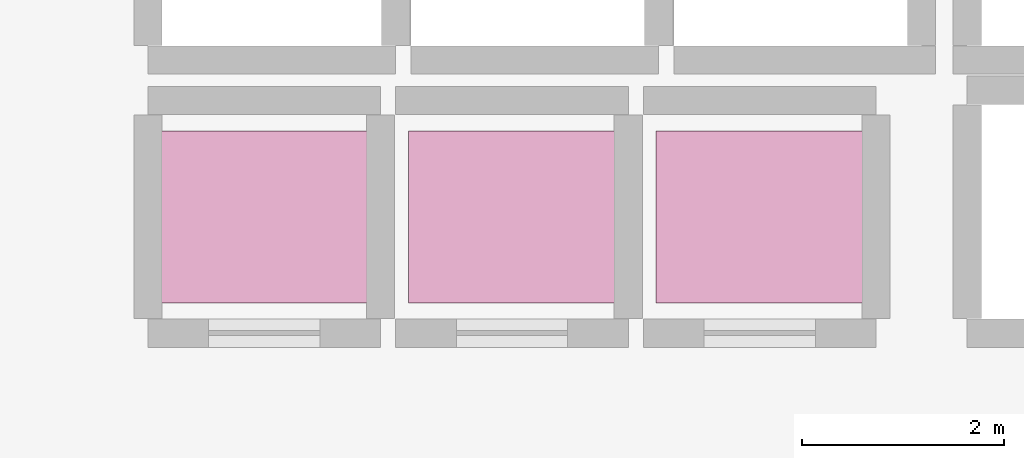
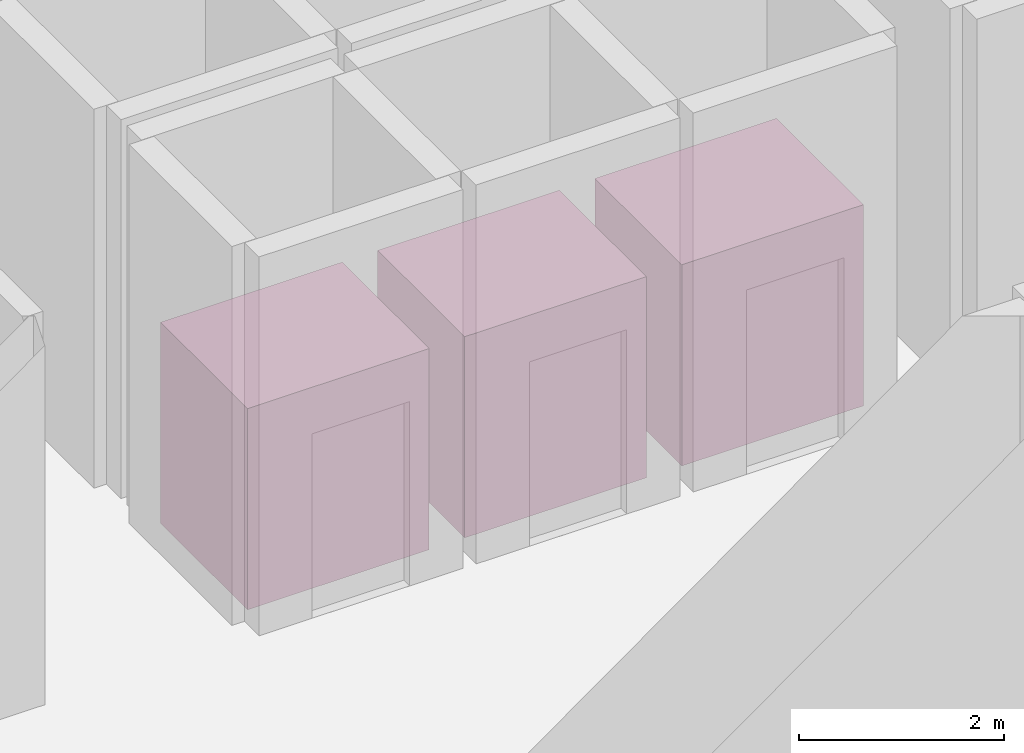
# One storey, part 37 of 37: 3 transport elements.
"""IFC4 building model written with IfcOpenShell, lengths in metres."""

from ifc_helpers import new_model, si_unit, direction, frame, origin, origin_2d, place, context, subcontext, project, spatial, rectangle, extrude, material, type_object, element, save


model = new_model("IFC4")

# Units and contexts
model_context = context("Model", 3, precision=1e-05, world=origin(), true_north=direction((0.0, 1.0)))
body_context = subcontext(model_context, "Body", "Model", "MODEL_VIEW")
ifc_project = project(units=[si_unit("LENGTHUNIT", "METRE"), si_unit("AREAUNIT", "SQUARE_METRE"), si_unit("VOLUMEUNIT", "CUBIC_METRE"), si_unit("PLANEANGLEUNIT", "RADIAN"), si_unit("MASSUNIT", "GRAM", prefix="KILO")], contexts=[model_context])

# Site, building, storey
site_placement = place(None, origin())
site = spatial("IfcSite", under=ifc_project, at=site_placement, CompositionType="ELEMENT")
building_placement = place(site_placement, origin())
building = spatial("IfcBuilding", under=site, at=building_placement, Name="Kaelvorn Grand Hotel", CompositionType="ELEMENT")
storey_placement = place(building_placement, frame((0.0, 0.0, 130.550048828125)))
storey = spatial("IfcBuildingStorey", under=building, at=storey_placement, Name="L31", CompositionType="ELEMENT", Elevation=130.550048828125)

# Transport elements
ifc_material = material(Name="Stainless Steel Cab", Category="steel")
transport_element_type = type_object("IfcTransportElementType", Name="LFT-HOTEL-1600KG", PredefinedType="ELEVATOR", material=ifc_material)
for number, where, z_axis, x_axis, name in (
    (1, (47.85009765625, 35.449951171875, 0.0), (0.0, 0.0, 1.0), (1.0, 0.0, 0.0), "Mid-Rise Passenger Lift PL-M1"),
    (2, (50.300048828125, 35.449951171875, 0.0), (0.0, 0.0, 1.0), (1.0, 0.0, 0.0), "Mid-Rise Passenger Lift PL-M2"),
    (3, (52.75, 35.449951171875, 0.0), (0.0, 0.0, 1.0), (1.0, 0.0, 0.0), "Mid-Rise Passenger Lift PL-M3"),
):
    element("IfcTransportElement", number, at=place(storey_placement, frame(where, z_axis=z_axis, x_axis=x_axis)), inside=storey, type_object=transport_element_type, Name=name, PredefinedType="ELEVATOR", context=body_context, shape_type="SweptSolid", body=[
        extrude(rectangle(XDim=2.050048828125, YDim=1.699951171875, at=origin_2d()), origin(), (0.0, 0.0, 1.0), 2.39990234375),
    ])

save(model, "model.ifc")
